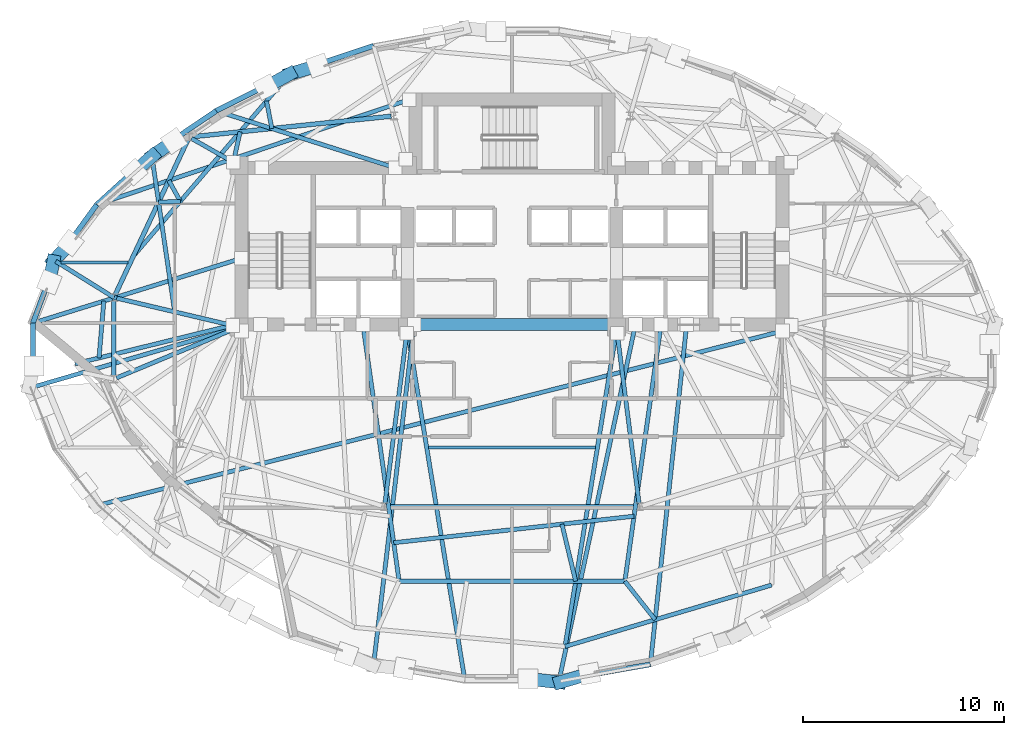
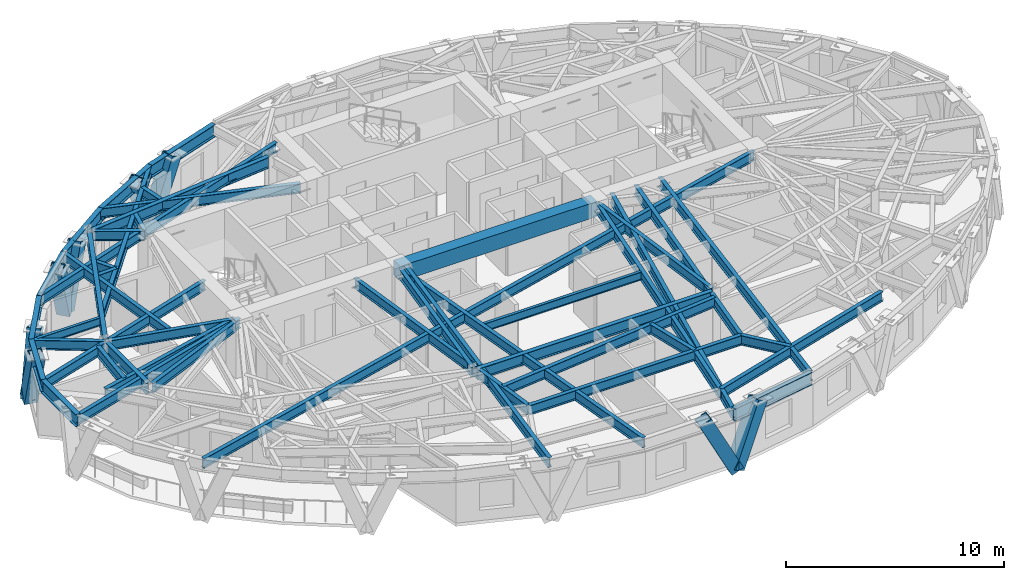
# One storey, part 3 of 15: 46 beams, 8 members.
"""IFC4 building model written with IfcOpenShell, lengths in metres."""

from ifc_helpers import new_model, si_unit, direction, frame, origin, origin_2d, place, context, subcontext, project, spatial, rectangle, hollow_rectangle, i_section, extrude, material, material_profile, profile_set, type_object, element, save


model = new_model("IFC4")

# Units and contexts
model_context = context("Model", 3, precision=1e-05, world=origin(), true_north=direction((0.0, 1.0)))
body_context = subcontext(model_context, "Body", "Model", "MODEL_VIEW")
ifc_project = project(units=[si_unit("LENGTHUNIT", "METRE"), si_unit("AREAUNIT", "SQUARE_METRE"), si_unit("VOLUMEUNIT", "CUBIC_METRE"), si_unit("PLANEANGLEUNIT", "RADIAN"), si_unit("MASSUNIT", "GRAM", prefix="KILO")], contexts=[model_context])

# Site, building, storey
site_placement = place(None, origin())
site = spatial("IfcSite", under=ifc_project, at=site_placement, CompositionType="ELEMENT")
building_placement = place(site_placement, origin())
building = spatial("IfcBuilding", under=site, at=building_placement, Name="Keldmark Tower", CompositionType="ELEMENT")
storey_placement = place(building_placement, frame((0.0, 0.0, 195.0)))
storey = spatial("IfcBuildingStorey", under=building, at=storey_placement, Name="L54", CompositionType="ELEMENT", Elevation=195.0)

# Beams
ifc_material_1 = material(Name="Steel ASTM A992 Grade 50", Category="steel")
ifc_material_profile_1 = material_profile(ifc_material_1, i_section(OverallWidth=0.153076171875, OverallDepth=0.455078125, WebThickness=0.008056640625, FlangeThickness=0.01318359375, at=origin_2d()), Name="W18X40")
ifc_profile_set_1 = profile_set([ifc_material_profile_1], Name="Steel ASTM A992 Grade 50")
beam_type_1 = type_object("IfcBeamType", Name="Composite Floor Joist W18X40", PredefinedType="JOIST", material=ifc_profile_set_1)
beam_1_placement = place(storey_placement, frame((-4.151611328125, -4.60009765625, 2.79248046875), z_axis=(1.0, 0.0, 0.0), x_axis=(0.0, 1.0, 0.0)))
element("IfcBeam", 1, at=beam_1_placement, inside=storey, type_object=beam_type_1, Name="L54 Composite Floor Joist J02", PredefinedType="JOIST", context=body_context, shape_type="SweptSolid", body=[
    extrude(i_section(OverallWidth=0.153076171875, OverallDepth=0.455078125, WebThickness=0.008056640625, FlangeThickness=0.01318359375, at=origin_2d()), origin(), (0.0, 0.0, 1.0), 8.3095703125),
])
beam_2_placement = place(storey_placement, frame((-22.453125, 4.6201171875, 2.79248046875), z_axis=(1.0, 0.0, 0.0), x_axis=(0.0, 1.0, 0.0)))
element("IfcBeam", 2, at=beam_2_placement, inside=storey, type_object=beam_type_1, Name="L54 Composite Floor Joist J03", PredefinedType="JOIST", context=body_context, shape_type="SweptSolid", body=[
    extrude(i_section(OverallWidth=0.153076171875, OverallDepth=0.455078125, WebThickness=0.008056640625, FlangeThickness=0.01318359375, at=origin_2d()), origin(), (0.0, 0.0, 1.0), 3.32861328125),
])
ifc_material_2 = material(Name="Concrete C50/60", Category="concrete")
ifc_material_profile_2 = material_profile(ifc_material_2, rectangle(XDim=0.60009765625, YDim=0.85009765625, at=origin_2d()), Name="RCB600X850")
ifc_profile_set_2 = profile_set([ifc_material_profile_2], Name="Concrete C50/60")
beam_type_2 = type_object("IfcBeamType", Name="Core Coupling Beam RCB600X850", PredefinedType="USERDEFINED", material=ifc_profile_set_2)
beam_3_placement = place(storey_placement, frame((-5.199951171875, 1.52490234375, 2.594970703125), z_axis=(1.0, 0.0, 0.0), x_axis=(0.0, 1.0, 0.0)))
element("IfcBeam", 3, at=beam_3_placement, inside=storey, type_object=beam_type_2, Name="L54 Central South Core Coupling Beam", ObjectType="COUPLING BEAM", PredefinedType="USERDEFINED", context=body_context, shape_type="SweptSolid", body=[
    extrude(rectangle(XDim=0.60009765625, YDim=0.85009765625, at=origin_2d()), origin(), (0.0, 0.0, 1.0), 10.39990234375),
])

# Members
ifc_material_3 = material(Name="Steel ASTM A572 Grade 50", Category="steel")
ifc_material_profile_3 = material_profile(ifc_material_3, hollow_rectangle(XDim=0.64990234375, YDim=0.64990234375, WallThickness=0.0400390625, at=origin_2d()), Name="BOX650X650X40")
ifc_profile_set_3 = profile_set([ifc_material_profile_3], Name="Steel ASTM A572 Grade 50")
member_type = type_object("IfcMemberType", Name="Diagrid Zone 3 Brace BOX650X650X40", PredefinedType="BRACE", material=ifc_profile_set_3)
member_1_placement = place(storey_placement, frame((-11.06982421875, 14.00537109375, -0.260009765625), z_axis=(0.406704578482, 0.120689041438, 0.905552616427), x_axis=(-0.284486983091, 0.958679903019, 0.0)))
element("IfcMember", 4, at=member_1_placement, inside=storey, type_object=member_type, Name="L54 Perimeter Diagrid Brace 05B", PredefinedType="BRACE", context=body_context, shape_type="SweptSolid", body=[
    extrude(hollow_rectangle(XDim=0.64990234375, YDim=0.64990234375, WallThickness=0.0400390625, at=origin_2d()), origin(), (0.0, 0.0, 1.0), 3.489501953125),
])
member_2_placement = place(storey_placement, frame((-11.05908203125, 14.010009765625, -0.260009765625), z_axis=(-0.346715719904, -0.191271860213, 0.918261011402), x_axis=(0.483039450761, -0.875598588971, 0.0)))
element("IfcMember", 5, at=member_2_placement, inside=storey, type_object=member_type, Name="L54 Perimeter Diagrid Brace 06A", PredefinedType="BRACE", context=body_context, shape_type="SweptSolid", body=[
    extrude(hollow_rectangle(XDim=0.64990234375, YDim=0.64990234375, WallThickness=0.0400390625, at=origin_2d()), origin(), (0.0, 0.0, 1.0), 3.441162109375),
])
member_3_placement = place(storey_placement, frame((-17.896728515625, 9.932373046875, -0.260009765625), z_axis=(0.310124523089, 0.215549062991, 0.925938108959), x_axis=(-0.570725894592, 0.821140641572, 0.0)))
element("IfcMember", 6, at=member_3_placement, inside=storey, type_object=member_type, Name="L54 Perimeter Diagrid Brace 06B", PredefinedType="BRACE", context=body_context, shape_type="SweptSolid", body=[
    extrude(hollow_rectangle(XDim=0.64990234375, YDim=0.64990234375, WallThickness=0.0400390625, at=origin_2d()), origin(), (0.0, 0.0, 1.0), 3.41259765625),
])
member_4_placement = place(storey_placement, frame((-17.888427734375, 9.940673828125, -0.260009765625), z_axis=(-0.272781799624, -0.2422808811, 0.931069312376), x_axis=(0.664070071551, -0.747670341842, 0.0)))
element("IfcMember", 7, at=member_4_placement, inside=storey, type_object=member_type, Name="L54 Perimeter Diagrid Brace 07A", PredefinedType="BRACE", context=body_context, shape_type="SweptSolid", body=[
    extrude(hollow_rectangle(XDim=0.64990234375, YDim=0.64990234375, WallThickness=0.0400390625, at=origin_2d()), origin(), (0.0, 0.0, 1.0), 3.393798828125),
])
member_5_placement = place(storey_placement, frame((-22.84375, 4.680419921875, -0.260009765625), z_axis=(0.250918132437, 0.266663424988, 0.930553979406), x_axis=(-0.72828069135, 0.685278946566, 0.0)))
element("IfcMember", 8, at=member_5_placement, inside=storey, type_object=member_type, Name="L54 Perimeter Diagrid Brace 07B", PredefinedType="BRACE", context=body_context, shape_type="SweptSolid", body=[
    extrude(hollow_rectangle(XDim=0.64990234375, YDim=0.64990234375, WallThickness=0.0400390625, at=origin_2d()), origin(), (0.0, 0.0, 1.0), 3.395751953125),
])
member_6_placement = place(storey_placement, frame((-22.839111328125, 4.69140625, -0.260009765625), z_axis=(-0.062423237202, -0.317890700925, 0.946070209721), x_axis=(0.981260249184, -0.192687112624, 0.0)))
element("IfcMember", 9, at=member_6_placement, inside=storey, type_object=member_type, Name="L54 Perimeter Diagrid Brace 08A", PredefinedType="BRACE", context=body_context, shape_type="SweptSolid", body=[
    extrude(hollow_rectangle(XDim=0.64990234375, YDim=0.64990234375, WallThickness=0.0400390625, at=origin_2d()), origin(), (0.0, 0.0, 1.0), 3.340087890625),
])
member_7_placement = place(storey_placement, frame((2.38232421875, -16.298583984375, -0.260009765625), z_axis=(-0.449587883117, 0.050574330453, 0.891803213974), x_axis=(-0.111785373517, -0.993732373563, 0.0)))
element("IfcMember", 10, at=member_7_placement, inside=storey, type_object=member_type, Name="L54 Perimeter Diagrid Brace 12B", PredefinedType="BRACE", context=body_context, shape_type="SweptSolid", body=[
    extrude(hollow_rectangle(XDim=0.64990234375, YDim=0.64990234375, WallThickness=0.0400390625, at=origin_2d()), origin(), (0.0, 0.0, 1.0), 3.543212890625),
])
member_8_placement = place(storey_placement, frame((2.37060546875, -16.298583984375, -0.260009765625), z_axis=(0.42280413069, 0.124011447781, 0.897695843753), x_axis=(-0.28145037755, 0.959575783863, 0.0)))
element("IfcMember", 11, at=member_8_placement, inside=storey, type_object=member_type, Name="L54 Perimeter Diagrid Brace 13A", PredefinedType="BRACE", context=body_context, shape_type="SweptSolid", body=[
    extrude(hollow_rectangle(XDim=0.64990234375, YDim=0.64990234375, WallThickness=0.0400390625, at=origin_2d()), origin(), (0.0, 0.0, 1.0), 3.52001953125),
])

# Beams
ifc_material_4 = material(Name="Steel ASTM A992 Grade 50", Category="steel")
ifc_material_profile_4 = material_profile(ifc_material_4, i_section(OverallWidth=0.22900390625, OverallDepth=0.612060546875, WebThickness=0.011962890625, FlangeThickness=0.01953125, at=origin_2d()), Name="W24X84")
ifc_profile_set_4 = profile_set([ifc_material_profile_4], Name="Steel ASTM A992 Grade 50")
beam_type_3 = type_object("IfcBeamType", Name="Primary Floor Girder W24X84", PredefinedType="BEAM", material=ifc_profile_set_4)
beam_4_placement = place(storey_placement, frame((-6.01953125, 11.90087890625, 2.714111328125), z_axis=(-0.994702930931, -0.102791435423, 0.0), x_axis=(0.102791435423, -0.994702930931, 0.0)))
element("IfcBeam", 12, at=beam_4_placement, inside=storey, type_object=beam_type_3, Name="L54 Floor Ring Girder FG-R04", PredefinedType="BEAM", context=body_context, shape_type="SweptSolid", body=[
    extrude(i_section(OverallWidth=0.22900390625, OverallDepth=0.612060546875, WebThickness=0.011962890625, FlangeThickness=0.01953125, at=origin_2d()), origin(), (0.0, 0.0, 1.0), 9.975341796875),
])
beam_5_placement = place(storey_placement, frame((-16.140869140625, 10.734130859375, 2.714111328125), z_axis=(-0.424526823774, -0.905415360979, 0.0), x_axis=(0.905415360979, -0.424526823774, 0.0)))
element("IfcBeam", 13, at=beam_5_placement, inside=storey, type_object=beam_type_3, Name="L54 Floor Ring Girder FG-R05", PredefinedType="BEAM", context=body_context, shape_type="SweptSolid", body=[
    extrude(i_section(OverallWidth=0.22900390625, OverallDepth=0.612060546875, WebThickness=0.011962890625, FlangeThickness=0.01953125, at=origin_2d()), origin(), (0.0, 0.0, 1.0), 8.54638671875),
])
beam_6_placement = place(storey_placement, frame((-19.828369140625, 2.729248046875, 2.714111328125), z_axis=(0.0, -1.0, 0.0), x_axis=(1.0, 0.0, 0.0)))
element("IfcBeam", 14, at=beam_6_placement, inside=storey, type_object=beam_type_3, Name="L54 Floor Ring Girder FG-R06", PredefinedType="BEAM", context=body_context, shape_type="SweptSolid", body=[
    extrude(i_section(OverallWidth=0.22900390625, OverallDepth=0.612060546875, WebThickness=0.011962890625, FlangeThickness=0.01953125, at=origin_2d()), origin(), (0.0, 0.0, 1.0), 3.778564453125),
])
beam_7_placement = place(storey_placement, frame((-6.211181640625, -7.546142578125, 2.714111328125), z_axis=(1.0, 0.0, 0.0), x_axis=(0.0, 1.0, 0.0)))
element("IfcBeam", 15, at=beam_7_placement, inside=storey, type_object=beam_type_3, Name="L54 Floor Ring Girder FG-R09", PredefinedType="BEAM", context=body_context, shape_type="SweptSolid", body=[
    extrude(i_section(OverallWidth=0.22900390625, OverallDepth=0.612060546875, WebThickness=0.011962890625, FlangeThickness=0.01953125, at=origin_2d()), origin(), (0.0, 0.0, 1.0), 12.42236328125),
])
ifc_material_5 = material(Name="Steel ASTM A992 Grade 50", Category="steel")
ifc_material_profile_5 = material_profile(ifc_material_5, i_section(OverallWidth=0.2099609375, OverallDepth=0.537109375, WebThickness=0.010986328125, FlangeThickness=0.017333984375, at=origin_2d()), Name="W21X68")
ifc_profile_set_5 = profile_set([ifc_material_profile_5], Name="Steel ASTM A992 Grade 50")
beam_type_4 = type_object("IfcBeamType", Name="Radial Tie Girder W21X68", PredefinedType="BEAM", material=ifc_profile_set_5)
beam_8_placement = place(storey_placement, frame((-15.959716796875, 10.791748046875, 2.75146484375), z_axis=(0.86929527307, -0.494293160197, 0.0), x_axis=(0.494293160197, 0.86929527307, 0.0)))
element("IfcBeam", 16, at=beam_8_placement, inside=storey, type_object=beam_type_4, Name="L54 Floor Radial Girder FG-C05", PredefinedType="BEAM", context=body_context, shape_type="SweptSolid", body=[
    extrude(i_section(OverallWidth=0.2099609375, OverallDepth=0.537109375, WebThickness=0.010986328125, FlangeThickness=0.017333984375, at=origin_2d()), origin(), (0.0, 0.0, 1.0), 2.39453125),
])
beam_9_placement = place(storey_placement, frame((-19.692138671875, 2.837158203125, 2.75146484375), z_axis=(0.973280062348, -0.229621253887, 0.0), x_axis=(0.229621253887, 0.973280062348, 0.0)))
element("IfcBeam", 17, at=beam_9_placement, inside=storey, type_object=beam_type_4, Name="L54 Floor Radial Girder FG-C06", PredefinedType="BEAM", context=body_context, shape_type="SweptSolid", body=[
    extrude(i_section(OverallWidth=0.2099609375, OverallDepth=0.537109375, WebThickness=0.010986328125, FlangeThickness=0.017333984375, at=origin_2d()), origin(), (0.0, 0.0, 1.0), 5.939208984375),
])
beam_10_placement = place(storey_placement, frame((-19.69921875, -1.135498046875, 2.75146484375), z_axis=(0.923393794893, 0.383854008124, 0.0), x_axis=(-0.383854008124, 0.923393794893, 0.0)))
element("IfcBeam", 18, at=beam_10_placement, inside=storey, type_object=beam_type_4, Name="L54 Floor Radial Girder FG-C07", PredefinedType="BEAM", context=body_context, shape_type="SweptSolid", body=[
    extrude(i_section(OverallWidth=0.2099609375, OverallDepth=0.537109375, WebThickness=0.010986328125, FlangeThickness=0.017333984375, at=origin_2d()), origin(), (0.0, 0.0, 1.0), 6.28515625),
])
for number, where, z_axis, x_axis, name in (
    (19, (-6.333251953125, -7.4072265625, 2.75146484375), (0.127635577416, 0.991821132754, 0.0), (-0.991821132754, 0.127635577416, 0.0), "L54 Floor Radial Girder FG-C09"),
    (20, (6.333251953125, -7.4072265625, 2.75146484375), (-0.127635577416, 0.991821132754, 0.0), (-0.991821132754, -0.127635577416, 0.0), "L54 Floor Radial Girder FG-C10"),
):
    element("IfcBeam", number, at=place(storey_placement, frame(where, z_axis=z_axis, x_axis=x_axis)), inside=storey, type_object=beam_type_4, Name=name, PredefinedType="BEAM", context=body_context, shape_type="SweptSolid", body=[
        extrude(i_section(OverallWidth=0.2099609375, OverallDepth=0.537109375, WebThickness=0.010986328125, FlangeThickness=0.017333984375, at=origin_2d()), origin(), (0.0, 0.0, 1.0), 8.559814453125),
    ])
beam_11_placement = place(storey_placement, frame((-13.800048828125, 1.52490234375, 2.75146484375), z_axis=(-0.971125533305, -0.238569064555, 0.0), x_axis=(0.238569064555, -0.971125533305, 0.0)))
element("IfcBeam", 21, at=beam_11_placement, inside=storey, type_object=beam_type_4, Name="L54 Sub-Ring Step Girder STP1-M07", PredefinedType="BEAM", context=body_context, shape_type="SweptSolid", body=[
    extrude(i_section(OverallWidth=0.2099609375, OverallDepth=0.537109375, WebThickness=0.010986328125, FlangeThickness=0.017333984375, at=origin_2d()), origin(), (0.0, 0.0, 1.0), 8.201171875),
])
beam_12_placement = place(storey_placement, frame((-7.425048828125, 1.52490234375, 2.75146484375), z_axis=(0.139645268858, -0.990201595073, 0.0), x_axis=(0.990201595073, 0.139645268858, 0.0)))
element("IfcBeam", 22, at=beam_12_placement, inside=storey, type_object=beam_type_4, Name="L54 Sub-Ring Step Girder STP1-M09", PredefinedType="BEAM", context=body_context, shape_type="SweptSolid", body=[
    extrude(i_section(OverallWidth=0.2099609375, OverallDepth=0.537109375, WebThickness=0.010986328125, FlangeThickness=0.017333984375, at=origin_2d()), origin(), (0.0, 0.0, 1.0), 12.91455078125),
])
beam_13_placement = place(storey_placement, frame((-5.89208984375, -9.344970703125, 2.75146484375), z_axis=(0.993956693462, 0.109772908876, 0.0), x_axis=(-0.109772908876, 0.993956693462, 0.0)))
element("IfcBeam", 23, at=beam_13_placement, inside=storey, type_object=beam_type_4, Name="L54 Framing Pin Header PH-004", PredefinedType="BEAM", context=body_context, shape_type="SweptSolid", body=[
    extrude(i_section(OverallWidth=0.2099609375, OverallDepth=0.537109375, WebThickness=0.010986328125, FlangeThickness=0.017333984375, at=origin_2d()), origin(), (0.0, 0.0, 1.0), 12.043212890625),
])
beam_14_placement = place(storey_placement, frame((7.425048828125, 1.52490234375, 2.75146484375), z_axis=(-0.139645268858, -0.990201595073, 0.0), x_axis=(0.990201595073, -0.139645268858, 0.0)))
element("IfcBeam", 24, at=beam_14_placement, inside=storey, type_object=beam_type_4, Name="L54 Sub-Ring Step Girder STP1-M10", PredefinedType="BEAM", context=body_context, shape_type="SweptSolid", body=[
    extrude(i_section(OverallWidth=0.2099609375, OverallDepth=0.537109375, WebThickness=0.010986328125, FlangeThickness=0.017333984375, at=origin_2d()), origin(), (0.0, 0.0, 1.0), 12.91455078125),
])
beam_15_placement = place(storey_placement, frame((-5.62158203125, -11.26318359375, 2.75146484375), z_axis=(1.0, 0.0, 0.0), x_axis=(0.0, 1.0, 0.0)))
element("IfcBeam", 25, at=beam_15_placement, inside=storey, type_object=beam_type_4, Name="L54 Perimeter Collector Ring Beam CRG1-M09", PredefinedType="BEAM", context=body_context, shape_type="SweptSolid", body=[
    extrude(i_section(OverallWidth=0.2099609375, OverallDepth=0.537109375, WebThickness=0.010986328125, FlangeThickness=0.017333984375, at=origin_2d()), origin(), (0.0, 0.0, 1.0), 11.2431640625),
])
beam_16_placement = place(storey_placement, frame((2.4873046875, -8.419677734375, 2.75146484375), z_axis=(0.233508724525, -0.972354706664, 0.0), x_axis=(0.972354706664, 0.233508724525, 0.0)))
element("IfcBeam", 26, at=beam_16_placement, inside=storey, type_object=beam_type_4, Name="L54 Framing Pin Header PH-009", PredefinedType="BEAM", context=body_context, shape_type="SweptSolid", body=[
    extrude(i_section(OverallWidth=0.2099609375, OverallDepth=0.537109375, WebThickness=0.010986328125, FlangeThickness=0.017333984375, at=origin_2d()), origin(), (0.0, 0.0, 1.0), 2.92431640625),
])
beam_17_placement = place(storey_placement, frame((5.199951171875, 1.199951171875, 2.75146484375), z_axis=(-0.160744739867, -0.986996012457, 0.0), x_axis=(0.986996012457, -0.160744739867, 0.0)))
element("IfcBeam", 27, at=beam_17_placement, inside=storey, type_object=beam_type_4, Name="L54 Sub-Ring Step Girder STP2-M10", PredefinedType="BEAM", context=body_context, shape_type="SweptSolid", body=[
    extrude(i_section(OverallWidth=0.2099609375, OverallDepth=0.537109375, WebThickness=0.010986328125, FlangeThickness=0.017333984375, at=origin_2d()), origin(), (0.0, 0.0, 1.0), 15.920166015625),
])
beam_18_placement = place(storey_placement, frame((2.640869140625, -14.51318359375, 2.75146484375), z_axis=(0.958499582429, 0.285093932738, 0.0), x_axis=(-0.285093932738, 0.958499582429, 0.0)))
element("IfcBeam", 28, at=beam_18_placement, inside=storey, type_object=beam_type_4, Name="L54 Perimeter Collector Ring Beam CRG2-M10", PredefinedType="BEAM", context=body_context, shape_type="SweptSolid", body=[
    extrude(i_section(OverallWidth=0.2099609375, OverallDepth=0.537109375, WebThickness=0.010986328125, FlangeThickness=0.017333984375, at=origin_2d()), origin(), (0.0, 0.0, 1.0), 10.736083984375),
])
beam_19_placement = place(storey_placement, frame((-13.878173828125, 9.608154296875, 2.75146484375), z_axis=(0.214963851154, 0.976622006048, 0.0), x_axis=(-0.976622006048, 0.214963851154, 0.0)))
element("IfcBeam", 29, at=beam_19_placement, inside=storey, type_object=beam_type_4, Name="L54 Framing Pin Header PH-017", PredefinedType="BEAM", context=body_context, shape_type="SweptSolid", body=[
    extrude(i_section(OverallWidth=0.2099609375, OverallDepth=0.537109375, WebThickness=0.010986328125, FlangeThickness=0.017333984375, at=origin_2d()), origin(), (0.0, 0.0, 1.0), 1.551513671875),
])
beam_20_placement = place(storey_placement, frame((-18.862060546875, 4.9306640625, 2.75146484375), z_axis=(0.651470615633, 0.758673867328, 0.0), x_axis=(-0.758673867328, 0.651470615633, 0.0)))
element("IfcBeam", 30, at=beam_20_placement, inside=storey, type_object=beam_type_4, Name="L54 Perimeter Radial Tie Girder RT-11", PredefinedType="BEAM", context=body_context, shape_type="SweptSolid", body=[
    extrude(i_section(OverallWidth=0.2099609375, OverallDepth=0.537109375, WebThickness=0.010986328125, FlangeThickness=0.017333984375, at=origin_2d()), origin(), (0.0, 0.0, 1.0), 11.9833984375),
])
beam_21_placement = place(storey_placement, frame((-12.226318359375, 12.658447265625, 2.75146484375), z_axis=(0.189087211637, -0.981960297769, 0.0), x_axis=(0.981960297769, 0.189087211637, 0.0)))
element("IfcBeam", 31, at=beam_21_placement, inside=storey, type_object=beam_type_4, Name="L54 Framing Pin Header PH-018", PredefinedType="BEAM", context=body_context, shape_type="SweptSolid", body=[
    extrude(i_section(OverallWidth=0.2099609375, OverallDepth=0.537109375, WebThickness=0.010986328125, FlangeThickness=0.017333984375, at=origin_2d()), origin(), (0.0, 0.0, 1.0), 1.39697265625),
])
beam_22_placement = place(storey_placement, frame((-5.80712890625, 9.324951171875, 2.75146484375), z_axis=(-0.952774002855, 0.303680258632, 0.0), x_axis=(-0.303680258632, -0.952774002855, 0.0)))
element("IfcBeam", 32, at=beam_22_placement, inside=storey, type_object=beam_type_4, Name="L54 Perimeter Radial Tie Girder RT-12", PredefinedType="BEAM", context=body_context, shape_type="SweptSolid", body=[
    extrude(i_section(OverallWidth=0.2099609375, OverallDepth=0.537109375, WebThickness=0.010986328125, FlangeThickness=0.017333984375, at=origin_2d()), origin(), (0.0, 0.0, 1.0), 9.365966796875),
])
beam_23_placement = place(storey_placement, frame((-16.52001953125, 7.658203125, 2.75146484375), z_axis=(-0.999291164389, -0.037645302155, 0.0), x_axis=(0.037645302155, -0.999291164389, 0.0)))
element("IfcBeam", 33, at=beam_23_placement, inside=storey, type_object=beam_type_4, Name="L54 Framing Pin Header PH-019", PredefinedType="BEAM", context=body_context, shape_type="SweptSolid", body=[
    extrude(i_section(OverallWidth=0.2099609375, OverallDepth=0.537109375, WebThickness=0.010986328125, FlangeThickness=0.017333984375, at=origin_2d()), origin(), (0.0, 0.0, 1.0), 1.0830078125),
])
beam_24_placement = place(storey_placement, frame((-16.8017578125, 2.1552734375, 2.75146484375), z_axis=(-0.144995825501, 0.989432266801, 0.0), x_axis=(-0.989432266801, -0.144995825501, 0.0)))
element("IfcBeam", 34, at=beam_24_placement, inside=storey, type_object=beam_type_4, Name="L54 Perimeter Radial Tie Girder RT-13", PredefinedType="BEAM", context=body_context, shape_type="SweptSolid", body=[
    extrude(i_section(OverallWidth=0.2099609375, OverallDepth=0.537109375, WebThickness=0.010986328125, FlangeThickness=0.017333984375, at=origin_2d()), origin(), (0.0, 0.0, 1.0), 7.91552734375),
])
beam_25_placement = place(storey_placement, frame((-16.52001953125, 7.658203125, 2.75146484375), z_axis=(-0.481965967037, 0.876189937524, 0.0), x_axis=(-0.876189937524, -0.481965967037, 0.0)))
element("IfcBeam", 35, at=beam_25_placement, inside=storey, type_object=beam_type_4, Name="L54 Framing Pin Header PH-020", PredefinedType="BEAM", context=body_context, shape_type="SweptSolid", body=[
    extrude(i_section(OverallWidth=0.2099609375, OverallDepth=0.537109375, WebThickness=0.010986328125, FlangeThickness=0.017333984375, at=origin_2d()), origin(), (0.0, 0.0, 1.0), 1.19091796875),
])
beam_26_placement = place(storey_placement, frame((-5.125, 12.72509765625, 2.75146484375), z_axis=(-0.94787551766, -0.318640868408, 0.0), x_axis=(0.318640868408, -0.94787551766, 0.0)))
element("IfcBeam", 36, at=beam_26_placement, inside=storey, type_object=beam_type_4, Name="L54 Perimeter Radial Tie Girder RT-14", PredefinedType="BEAM", context=body_context, shape_type="SweptSolid", body=[
    extrude(i_section(OverallWidth=0.2099609375, OverallDepth=0.537109375, WebThickness=0.010986328125, FlangeThickness=0.017333984375, at=origin_2d()), origin(), (0.0, 0.0, 1.0), 16.413330078125),
])
beam_27_placement = place(storey_placement, frame((-19.828369140625, 2.869140625, 2.75146484375), z_axis=(-0.848809086874, 0.528699474219, 0.0), x_axis=(-0.528699474219, -0.848809086874, 0.0)))
element("IfcBeam", 37, at=beam_27_placement, inside=storey, type_object=beam_type_4, Name="L54 Perimeter Column Bracket RT-15", PredefinedType="BEAM", context=body_context, shape_type="SweptSolid", body=[
    extrude(i_section(OverallWidth=0.2099609375, OverallDepth=0.537109375, WebThickness=0.010986328125, FlangeThickness=0.017333984375, at=origin_2d()), origin(), (0.0, 0.0, 1.0), 3.4130859375),
])
beam_28_placement = place(storey_placement, frame((-20.569580078125, -0.13818359375, 2.75146484375), z_axis=(0.084084258661, 0.996458648136, 0.0), x_axis=(-0.996458648136, 0.084084258661, 0.0)))
element("IfcBeam", 38, at=beam_28_placement, inside=storey, type_object=beam_type_4, Name="L54 Framing Pin Header PH-021", PredefinedType="BEAM", context=body_context, shape_type="SweptSolid", body=[
    extrude(i_section(OverallWidth=0.2099609375, OverallDepth=0.537109375, WebThickness=0.010986328125, FlangeThickness=0.017333984375, at=origin_2d()), origin(), (0.0, 0.0, 1.0), 2.839599609375),
])
beam_29_placement = place(storey_placement, frame((-13.47509765625, 4.8212890625, 2.75146484375), z_axis=(-0.954971428081, -0.296697778133, 0.0), x_axis=(0.296697778133, -0.954971428081, 0.0)))
element("IfcBeam", 39, at=beam_29_placement, inside=storey, type_object=beam_type_4, Name="L54 Perimeter Radial Tie Girder RT-16", PredefinedType="BEAM", context=body_context, shape_type="SweptSolid", body=[
    extrude(i_section(OverallWidth=0.2099609375, OverallDepth=0.537109375, WebThickness=0.010986328125, FlangeThickness=0.017333984375, at=origin_2d()), origin(), (0.0, 0.0, 1.0), 10.87890625),
])
beam_30_placement = place(storey_placement, frame((-13.60009765625, 1.39990234375, 2.75146484375), z_axis=(-0.960007672029, -0.279973694561, 0.0), x_axis=(0.279973694561, -0.960007672029, 0.0)))
element("IfcBeam", 40, at=beam_30_placement, inside=storey, type_object=beam_type_4, Name="L54 Perimeter Radial Tie Girder RT-17", PredefinedType="BEAM", context=body_context, shape_type="SweptSolid", body=[
    extrude(i_section(OverallWidth=0.2099609375, OverallDepth=0.537109375, WebThickness=0.010986328125, FlangeThickness=0.017333984375, at=origin_2d()), origin(), (0.0, 0.0, 1.0), 10.691650390625),
])
beam_31_placement = place(storey_placement, frame((13.47509765625, 1.199951171875, 2.75146484375), z_axis=(-0.969095036367, -0.246687678025, 0.0), x_axis=(0.246687678025, -0.969095036367, 0.0)))
element("IfcBeam", 41, at=beam_31_placement, inside=storey, type_object=beam_type_4, Name="L54 Perimeter Radial Tie Girder RT-19", PredefinedType="BEAM", context=body_context, shape_type="SweptSolid", body=[
    extrude(i_section(OverallWidth=0.2099609375, OverallDepth=0.537109375, WebThickness=0.010986328125, FlangeThickness=0.017333984375, at=origin_2d()), origin(), (0.0, 0.0, 1.0), 35.247314453125),
])
beam_32_placement = place(storey_placement, frame((-4.875, 1.52490234375, 2.75146484375), z_axis=(-0.118392045649, -0.992966929725, 0.0), x_axis=(0.992966929725, -0.118392045649, 0.0)))
element("IfcBeam", 42, at=beam_32_placement, inside=storey, type_object=beam_type_4, Name="L54 Perimeter Radial Tie Girder RT-23", PredefinedType="BEAM", context=body_context, shape_type="SweptSolid", body=[
    extrude(i_section(OverallWidth=0.2099609375, OverallDepth=0.537109375, WebThickness=0.010986328125, FlangeThickness=0.017333984375, at=origin_2d()), origin(), (0.0, 0.0, 1.0), 17.0517578125),
])
beam_33_placement = place(storey_placement, frame((-5.199951171875, 1.199951171875, 2.75146484375), z_axis=(0.161806453172, -0.986822512771, 0.0), x_axis=(0.986822512771, 0.161806453172, 0.0)))
element("IfcBeam", 43, at=beam_33_placement, inside=storey, type_object=beam_type_4, Name="L54 Perimeter Radial Tie Girder RT-24", PredefinedType="BEAM", context=body_context, shape_type="SweptSolid", body=[
    extrude(i_section(OverallWidth=0.2099609375, OverallDepth=0.537109375, WebThickness=0.010986328125, FlangeThickness=0.017333984375, at=origin_2d()), origin(), (0.0, 0.0, 1.0), 17.611328125),
])
beam_34_placement = place(storey_placement, frame((6.14990234375, 1.52490234375, 2.75146484375), z_axis=(-0.209836623326, -0.977736463221, 0.0), x_axis=(0.977736463221, -0.209836623326, 0.0)))
element("IfcBeam", 44, at=beam_34_placement, inside=storey, type_object=beam_type_4, Name="L54 Perimeter Radial Tie Girder RT-25", PredefinedType="BEAM", context=body_context, shape_type="SweptSolid", body=[
    extrude(i_section(OverallWidth=0.2099609375, OverallDepth=0.537109375, WebThickness=0.010986328125, FlangeThickness=0.017333984375, at=origin_2d()), origin(), (0.0, 0.0, 1.0), 18.107177734375),
])
beam_35_placement = place(storey_placement, frame((5.62158203125, -11.26318359375, 2.75146484375), z_axis=(0.619319573847, -0.785139010272, 0.0), x_axis=(0.785139010272, 0.619319573847, 0.0)))
element("IfcBeam", 45, at=beam_35_placement, inside=storey, type_object=beam_type_4, Name="L54 Framing Pin Header PH-030", PredefinedType="BEAM", context=body_context, shape_type="SweptSolid", body=[
    extrude(i_section(OverallWidth=0.2099609375, OverallDepth=0.537109375, WebThickness=0.010986328125, FlangeThickness=0.017333984375, at=origin_2d()), origin(), (0.0, 0.0, 1.0), 2.438232421875),
])
beam_36_placement = place(storey_placement, frame((8.699951171875, 1.52490234375, 2.75146484375), z_axis=(-0.106069895859, -0.99435867633, 0.0), x_axis=(0.99435867633, -0.106069895859, 0.0)))
element("IfcBeam", 46, at=beam_36_placement, inside=storey, type_object=beam_type_4, Name="L54 Perimeter Radial Tie Girder RT-26", PredefinedType="BEAM", context=body_context, shape_type="SweptSolid", body=[
    extrude(i_section(OverallWidth=0.2099609375, OverallDepth=0.537109375, WebThickness=0.010986328125, FlangeThickness=0.017333984375, at=origin_2d()), origin(), (0.0, 0.0, 1.0), 17.02783203125),
])
ifc_material_6 = material(Name="Steel ASTM A992 Grade 50", Category="steel")
ifc_material_profile_6 = material_profile(ifc_material_6, i_section(OverallWidth=0.256103515625, OverallDepth=0.693115234375, WebThickness=0.014404296875, FlangeThickness=0.023681640625, at=origin_2d()), Name="W27X114")
ifc_profile_set_6 = profile_set([ifc_material_profile_6], Name="Steel ASTM A992 Grade 50")
beam_type_5 = type_object("IfcBeamType", Name="Spandrel Ring Beam W27X114", PredefinedType="SPANDREL", material=ifc_profile_set_6)
beam_37_placement = place(storey_placement, frame((-6.893798828125, 15.406982421875, 2.673583984375), z_axis=(-0.948844608833, -0.315743421608, 0.0), x_axis=(0.315743421608, -0.948844608833, 0.0)))
element("IfcBeam", 47, at=beam_37_placement, inside=storey, type_object=beam_type_5, Name="L54 Perimeter Spandrel Ring Beam SRB-10", PredefinedType="SPANDREL", context=body_context, shape_type="SweptSolid", body=[
    extrude(i_section(OverallWidth=0.256103515625, OverallDepth=0.693115234375, WebThickness=0.014404296875, FlangeThickness=0.023681640625, at=origin_2d()), origin(), (0.0, 0.0, 1.0), 4.3857421875),
])
beam_38_placement = place(storey_placement, frame((-11.05517578125, 14.022216796875, 2.673583984375), z_axis=(-0.892939479035, -0.450176728387, 0.0), x_axis=(0.450176728387, -0.892939479035, 0.0)))
element("IfcBeam", 48, at=beam_38_placement, inside=storey, type_object=beam_type_5, Name="L54 Perimeter Spandrel Ring Beam SRB-11", PredefinedType="SPANDREL", context=body_context, shape_type="SweptSolid", body=[
    extrude(i_section(OverallWidth=0.256103515625, OverallDepth=0.693115234375, WebThickness=0.014404296875, FlangeThickness=0.023681640625, at=origin_2d()), origin(), (0.0, 0.0, 1.0), 4.1162109375),
])
beam_39_placement = place(storey_placement, frame((-14.730712890625, 12.169189453125, 2.673583984375), z_axis=(-0.82771739458, -0.56114518149, 0.0), x_axis=(0.56114518149, -0.82771739458, 0.0)))
element("IfcBeam", 49, at=beam_39_placement, inside=storey, type_object=beam_type_5, Name="L54 Perimeter Spandrel Ring Beam SRB-12", PredefinedType="SPANDREL", context=body_context, shape_type="SweptSolid", body=[
    extrude(i_section(OverallWidth=0.256103515625, OverallDepth=0.693115234375, WebThickness=0.014404296875, FlangeThickness=0.023681640625, at=origin_2d()), origin(), (0.0, 0.0, 1.0), 3.888671875),
])
beam_40_placement = place(storey_placement, frame((-17.949462890625, 9.987060546875, 2.673583984375), z_axis=(-0.738992571182, -0.67371357396, 0.0), x_axis=(0.67371357396, -0.738992571182, 0.0)))
element("IfcBeam", 50, at=beam_40_placement, inside=storey, type_object=beam_type_5, Name="L54 Perimeter Spandrel Ring Beam SRB-13", PredefinedType="SPANDREL", context=body_context, shape_type="SweptSolid", body=[
    extrude(i_section(OverallWidth=0.256103515625, OverallDepth=0.693115234375, WebThickness=0.014404296875, FlangeThickness=0.023681640625, at=origin_2d()), origin(), (0.0, 0.0, 1.0), 3.69873046875),
])
beam_41_placement = place(storey_placement, frame((-20.682861328125, 7.4951171875, 2.673583984375), z_axis=(-0.586378206793, -0.810037405678, 0.0), x_axis=(0.810037405678, -0.586378206793, 0.0)))
element("IfcBeam", 51, at=beam_41_placement, inside=storey, type_object=beam_type_5, Name="L54 Perimeter Spandrel Ring Beam SRB-14", PredefinedType="SPANDREL", context=body_context, shape_type="SweptSolid", body=[
    extrude(i_section(OverallWidth=0.256103515625, OverallDepth=0.693115234375, WebThickness=0.014404296875, FlangeThickness=0.023681640625, at=origin_2d()), origin(), (0.0, 0.0, 1.0), 3.483154296875),
])
beam_42_placement = place(storey_placement, frame((-22.725341796875, 4.673583984375, 2.673583984375), z_axis=(-0.346817928639, -0.937932473249, 0.0), x_axis=(0.937932473249, -0.346817928639, 0.0)))
element("IfcBeam", 52, at=beam_42_placement, inside=storey, type_object=beam_type_5, Name="L54 Perimeter Spandrel Ring Beam SRB-15", PredefinedType="SPANDREL", context=body_context, shape_type="SweptSolid", body=[
    extrude(i_section(OverallWidth=0.256103515625, OverallDepth=0.693115234375, WebThickness=0.014404296875, FlangeThickness=0.023681640625, at=origin_2d()), origin(), (0.0, 0.0, 1.0), 3.283935546875),
])
beam_43_placement = place(storey_placement, frame((-23.8642578125, 1.593505859375, 2.673583984375), z_axis=(0.0, -1.0, 0.0), x_axis=(1.0, 0.0, 0.0)))
element("IfcBeam", 53, at=beam_43_placement, inside=storey, type_object=beam_type_5, Name="L54 Perimeter Spandrel Ring Beam SRB-16", PredefinedType="SPANDREL", context=body_context, shape_type="SweptSolid", body=[
    extrude(i_section(OverallWidth=0.256103515625, OverallDepth=0.693115234375, WebThickness=0.014404296875, FlangeThickness=0.023681640625, at=origin_2d()), origin(), (0.0, 0.0, 1.0), 3.18701171875),
])
beam_44_placement = place(storey_placement, frame((2.350341796875, -16.17919921875, 2.673583984375), z_axis=(0.98586197295, 0.167559453006, 0.0), x_axis=(-0.167559453006, 0.98586197295, 0.0)))
element("IfcBeam", 54, at=beam_44_placement, inside=storey, type_object=beam_type_5, Name="L54 Perimeter Spandrel Ring Beam SRB-25", PredefinedType="SPANDREL", context=body_context, shape_type="SweptSolid", body=[
    extrude(i_section(OverallWidth=0.256103515625, OverallDepth=0.693115234375, WebThickness=0.014404296875, FlangeThickness=0.023681640625, at=origin_2d()), origin(), (0.0, 0.0, 1.0), 4.608642578125),
])

save(model, "model.ifc")
